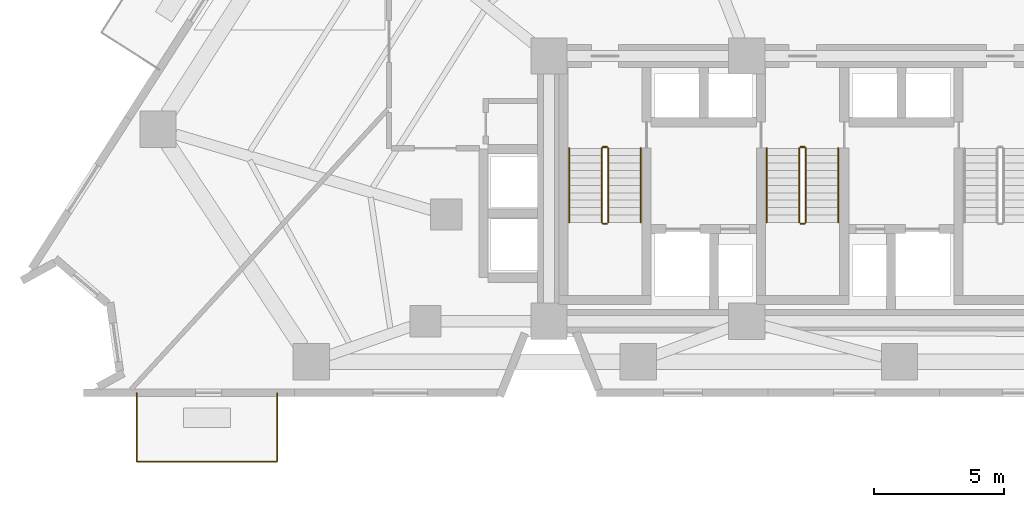
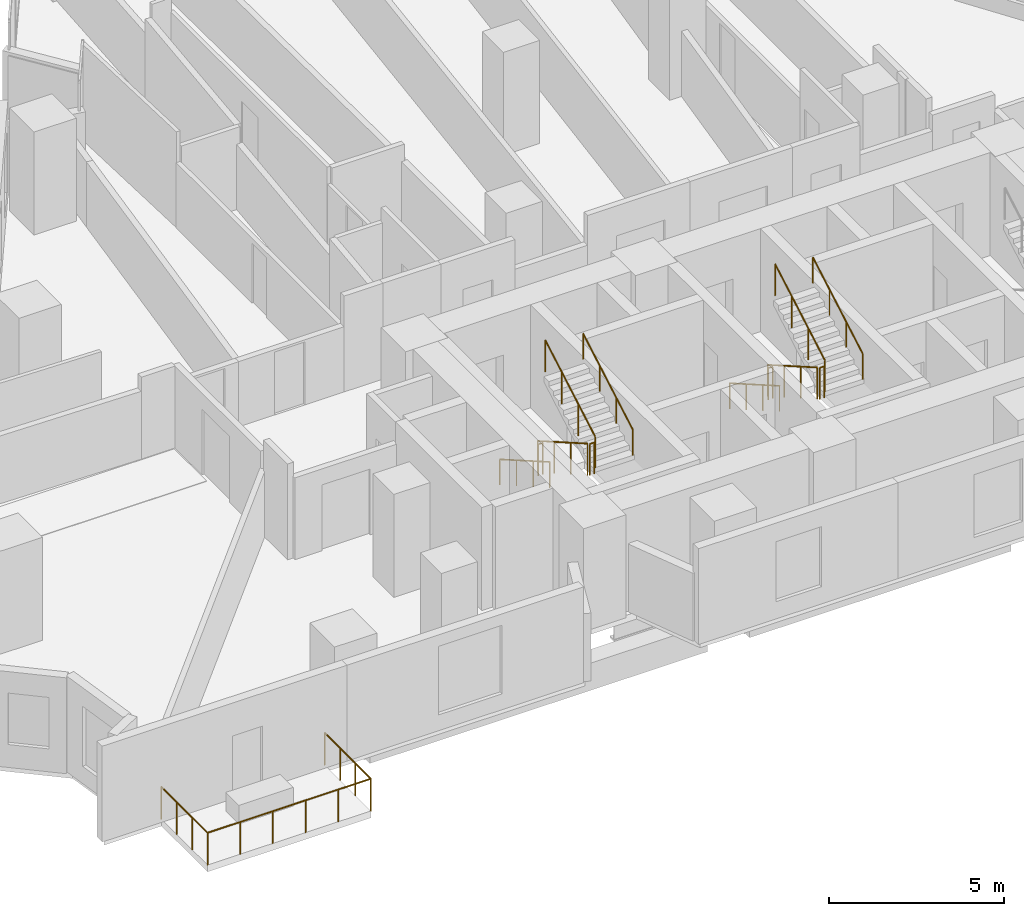
# One storey, part 11 of 14: 13 railings.
"""IFC4 building model written with IfcOpenShell, lengths in metres."""

from ifc_helpers import new_model, si_unit, direction, frame, origin, origin_2d, place, context, subcontext, project, spatial, circle, extrude, material, type_object, element, save


model = new_model("IFC4")

# Units and contexts
model_context = context("Model", 3, precision=1e-05, world=origin(), true_north=direction((0.0, 1.0)))
body_context = subcontext(model_context, "Body", "Model", "MODEL_VIEW")
ifc_project = project(units=[si_unit("LENGTHUNIT", "METRE"), si_unit("AREAUNIT", "SQUARE_METRE"), si_unit("VOLUMEUNIT", "CUBIC_METRE"), si_unit("PLANEANGLEUNIT", "RADIAN"), si_unit("MASSUNIT", "GRAM", prefix="KILO")], contexts=[model_context])

# Site, building, storey
site_placement = place(None, origin())
site = spatial("IfcSite", under=ifc_project, at=site_placement, CompositionType="ELEMENT")
building_placement = place(site_placement, origin())
building = spatial("IfcBuilding", under=site, at=building_placement, Name="Almagre Mirador Tower", CompositionType="ELEMENT")
storey_placement = place(building_placement, frame((0.0, 0.0, 46.199951171875)))
storey = spatial("IfcBuildingStorey", under=building, at=storey_placement, Name="L10", CompositionType="ELEMENT", Elevation=46.199951171875)

# Railings
ifc_material_1 = material(Name="Black anodized aluminium", Category="aluminium")
railing_type_1 = type_object("IfcRailingType", Name="RLG-BAL-1150", PredefinedType="BALUSTRADE", material=ifc_material_1)
railing_1_placement = place(storey_placement, frame((11.699951171875, 1.800048828125, 0.0)))
element("IfcRailing", 1, at=railing_1_placement, inside=storey, type_object=railing_type_1, Name="L10 south balcony balustrade 1", PredefinedType="BALUSTRADE", context=body_context, shape_type="SweptSolid", body=[
    extrude(circle(Radius=0.02392578125, at=origin_2d()), frame((0.0, 0.0, 1.1259765625), z_axis=(0.0, -1.0, 0.0), x_axis=(1.0, 0.0, 0.0)), (0.0, 0.0, 1.0), 2.650146484375),
    extrude(circle(Radius=0.02392578125, at=origin_2d()), frame((0.0, -2.650146484375, 1.1259765625), z_axis=(1.0, 0.0, 0.0), x_axis=(0.0, 1.0, 0.0)), (0.0, 0.0, 1.0), 5.400146484375),
    extrude(circle(Radius=0.02392578125, at=origin_2d()), frame((5.400146484375, -2.650146484375, 1.1259765625), z_axis=(0.0, 1.0, 0.0), x_axis=(-1.0, 0.0, 0.0)), (0.0, 0.0, 1.0), 2.650146484375),
    extrude(circle(Radius=0.02099609375, at=origin_2d()), origin(), (0.0, 0.0, 1.0), 1.101806640625),
    extrude(circle(Radius=0.02099609375, at=origin_2d()), frame((0.0, -0.88330078125, 0.0)), (0.0, 0.0, 1.0), 1.101806640625),
    extrude(circle(Radius=0.02099609375, at=origin_2d()), frame((0.0, -1.766845703125, 0.0)), (0.0, 0.0, 1.0), 1.101806640625),
    extrude(circle(Radius=0.02099609375, at=origin_2d()), frame((0.0, -2.650146484375, 0.0)), (0.0, 0.0, 1.0), 1.101806640625),
    extrude(circle(Radius=0.02099609375, at=origin_2d()), frame((1.080078125, -2.650146484375, 0.0)), (0.0, 0.0, 1.0), 1.101806640625),
    extrude(circle(Radius=0.02099609375, at=origin_2d()), frame((2.16015625, -2.650146484375, 0.0)), (0.0, 0.0, 1.0), 1.101806640625),
    extrude(circle(Radius=0.02099609375, at=origin_2d()), frame((3.239990234375, -2.650146484375, 0.0)), (0.0, 0.0, 1.0), 1.101806640625),
    extrude(circle(Radius=0.02099609375, at=origin_2d()), frame((4.320068359375, -2.650146484375, 0.0)), (0.0, 0.0, 1.0), 1.101806640625),
    extrude(circle(Radius=0.02099609375, at=origin_2d()), frame((5.400146484375, -2.650146484375, 0.0)), (0.0, 0.0, 1.0), 1.101806640625),
    extrude(circle(Radius=0.02099609375, at=origin_2d()), frame((5.400146484375, -1.766845703125, 0.0)), (0.0, 0.0, 1.0), 1.101806640625),
    extrude(circle(Radius=0.02099609375, at=origin_2d()), frame((5.400146484375, -0.88330078125, 0.0)), (0.0, 0.0, 1.0), 1.101806640625),
    extrude(circle(Radius=0.02099609375, at=origin_2d()), frame((5.400146484375, 0.0, 0.0)), (0.0, 0.0, 1.0), 1.101806640625),
])
ifc_material_2 = material(Name="Painted galvanized steel", Category="steel")
railing_type_2 = type_object("IfcRailingType", Name="RLG-GRD-1100", PredefinedType="GUARDRAIL", material=ifc_material_2)
railing_2_placement = place(storey_placement, frame((29.574951171875, 11.199951171875, 0.16357421875)))
element("IfcRailing", 2, at=railing_2_placement, inside=storey, type_object=railing_type_2, Name="L10 ST-1 stair guard 1", PredefinedType="GUARDRAIL", context=body_context, shape_type="SweptSolid", body=[
    extrude(circle(Radius=0.02392578125, at=origin_2d()), frame((0.0, 0.0, 1.09619140625), z_axis=(0.0, -0.867194282975, 0.497969954491), x_axis=(1.0, 0.0, 0.0)), (0.0, 0.0, 1.0), 3.286376953125),
    extrude(circle(Radius=0.02099609375, at=origin_2d()), origin(), (0.0, 0.0, 1.0), 1.072021484375),
    extrude(circle(Radius=0.02099609375, at=origin_2d()), frame((0.0, -0.949951171875, 0.54541015625)), (0.0, 0.0, 1.0), 1.072021484375),
    extrude(circle(Radius=0.02099609375, at=origin_2d()), frame((0.0, -1.89990234375, 1.091064453125)), (0.0, 0.0, 1.0), 1.072021484375),
    extrude(circle(Radius=0.02099609375, at=origin_2d()), frame((0.0, -2.849853515625, 1.636474609375)), (0.0, 0.0, 1.0), 1.072021484375),
])
railing_3_placement = place(storey_placement, frame((29.625, 8.300048828125, 1.800048828125)))
element("IfcRailing", 3, at=railing_3_placement, inside=storey, type_object=railing_type_2, Name="L10 ST-1 stair guard 2", PredefinedType="GUARDRAIL", context=body_context, shape_type="SweptSolid", body=[
    extrude(circle(Radius=0.02392578125, at=origin_2d()), frame((0.0, 0.0, 1.09619140625), z_axis=(1.0, 0.0, 0.0), x_axis=(0.0, 1.0, 0.0)), (0.0, 0.0, 1.0), 0.14990234375),
    extrude(circle(Radius=0.02099609375, at=origin_2d()), origin(), (0.0, 0.0, 1.0), 1.072021484375),
    extrude(circle(Radius=0.02099609375, at=origin_2d()), frame((0.14990234375, 0.0, 0.0)), (0.0, 0.0, 1.0), 1.072021484375),
])
railing_4_placement = place(storey_placement, frame((29.824951171875, 8.35009765625, 1.963623046875)))
element("IfcRailing", 4, at=railing_4_placement, inside=storey, type_object=railing_type_2, Name="L10 ST-1 stair guard 3", PredefinedType="GUARDRAIL", context=body_context, shape_type="SweptSolid", body=[
    extrude(circle(Radius=0.02392578125, at=origin_2d()), frame((0.0, 0.0, 1.09619140625), z_axis=(0.0, 0.867194282975, 0.497969954491), x_axis=(-1.0, 0.0, 0.0)), (0.0, 0.0, 1.0), 3.286376953125),
    extrude(circle(Radius=0.02099609375, at=origin_2d()), origin(), (0.0, 0.0, 1.0), 1.072021484375),
    extrude(circle(Radius=0.02099609375, at=origin_2d()), frame((0.0, 0.949951171875, 0.54541015625)), (0.0, 0.0, 1.0), 1.072021484375),
    extrude(circle(Radius=0.02099609375, at=origin_2d()), frame((0.0, 1.89990234375, 1.091064453125)), (0.0, 0.0, 1.0), 1.072021484375),
    extrude(circle(Radius=0.02099609375, at=origin_2d()), frame((0.0, 2.849853515625, 1.636474609375)), (0.0, 0.0, 1.0), 1.072021484375),
])
railing_5_placement = place(storey_placement, frame((29.625, 11.25, 0.0)))
element("IfcRailing", 5, at=railing_5_placement, inside=storey, type_object=railing_type_2, Name="L10 ST-1 stair guard 4", PredefinedType="GUARDRAIL", context=body_context, shape_type="SweptSolid", body=[
    extrude(circle(Radius=0.02392578125, at=origin_2d()), frame((0.0, 0.0, 1.09619140625), z_axis=(1.0, 0.0, 0.0), x_axis=(0.0, 1.0, 0.0)), (0.0, 0.0, 1.0), 0.14990234375),
    extrude(circle(Radius=0.02099609375, at=origin_2d()), origin(), (0.0, 0.0, 1.0), 1.072021484375),
    extrude(circle(Radius=0.02099609375, at=origin_2d()), frame((0.14990234375, 0.0, 0.0)), (0.0, 0.0, 1.0), 1.072021484375),
])
railing_6_placement = place(storey_placement, frame((37.175048828125, 11.199951171875, 0.16357421875)))
element("IfcRailing", 6, at=railing_6_placement, inside=storey, type_object=railing_type_2, Name="L10 ST-2 stair guard 1", PredefinedType="GUARDRAIL", context=body_context, shape_type="SweptSolid", body=[
    extrude(circle(Radius=0.02392578125, at=origin_2d()), frame((0.0, 0.0, 1.09619140625), z_axis=(0.0, -0.867194282975, 0.497969954491), x_axis=(1.0, 0.0, 0.0)), (0.0, 0.0, 1.0), 3.286376953125),
    extrude(circle(Radius=0.02099609375, at=origin_2d()), origin(), (0.0, 0.0, 1.0), 1.072021484375),
    extrude(circle(Radius=0.02099609375, at=origin_2d()), frame((0.0, -0.949951171875, 0.54541015625)), (0.0, 0.0, 1.0), 1.072021484375),
    extrude(circle(Radius=0.02099609375, at=origin_2d()), frame((0.0, -1.89990234375, 1.091064453125)), (0.0, 0.0, 1.0), 1.072021484375),
    extrude(circle(Radius=0.02099609375, at=origin_2d()), frame((0.0, -2.849853515625, 1.636474609375)), (0.0, 0.0, 1.0), 1.072021484375),
])
railing_7_placement = place(storey_placement, frame((37.22509765625, 8.300048828125, 1.800048828125)))
element("IfcRailing", 7, at=railing_7_placement, inside=storey, type_object=railing_type_2, Name="L10 ST-2 stair guard 2", PredefinedType="GUARDRAIL", context=body_context, shape_type="SweptSolid", body=[
    extrude(circle(Radius=0.02392578125, at=origin_2d()), frame((0.0, 0.0, 1.09619140625), z_axis=(1.0, 0.0, 0.0), x_axis=(0.0, 1.0, 0.0)), (0.0, 0.0, 1.0), 0.14990234375),
    extrude(circle(Radius=0.02099609375, at=origin_2d()), origin(), (0.0, 0.0, 1.0), 1.072021484375),
    extrude(circle(Radius=0.02099609375, at=origin_2d()), frame((0.14990234375, 0.0, 0.0)), (0.0, 0.0, 1.0), 1.072021484375),
])
railing_8_placement = place(storey_placement, frame((37.425048828125, 8.35009765625, 1.963623046875)))
element("IfcRailing", 8, at=railing_8_placement, inside=storey, type_object=railing_type_2, Name="L10 ST-2 stair guard 3", PredefinedType="GUARDRAIL", context=body_context, shape_type="SweptSolid", body=[
    extrude(circle(Radius=0.02392578125, at=origin_2d()), frame((0.0, 0.0, 1.09619140625), z_axis=(0.0, 0.867194282975, 0.497969954491), x_axis=(-1.0, 0.0, 0.0)), (0.0, 0.0, 1.0), 3.286376953125),
    extrude(circle(Radius=0.02099609375, at=origin_2d()), origin(), (0.0, 0.0, 1.0), 1.072021484375),
    extrude(circle(Radius=0.02099609375, at=origin_2d()), frame((0.0, 0.949951171875, 0.54541015625)), (0.0, 0.0, 1.0), 1.072021484375),
    extrude(circle(Radius=0.02099609375, at=origin_2d()), frame((0.0, 1.89990234375, 1.091064453125)), (0.0, 0.0, 1.0), 1.072021484375),
    extrude(circle(Radius=0.02099609375, at=origin_2d()), frame((0.0, 2.849853515625, 1.636474609375)), (0.0, 0.0, 1.0), 1.072021484375),
])
railing_9_placement = place(storey_placement, frame((37.22509765625, 11.25, 0.0)))
element("IfcRailing", 9, at=railing_9_placement, inside=storey, type_object=railing_type_2, Name="L10 ST-2 stair guard 4", PredefinedType="GUARDRAIL", context=body_context, shape_type="SweptSolid", body=[
    extrude(circle(Radius=0.02392578125, at=origin_2d()), frame((0.0, 0.0, 1.09619140625), z_axis=(1.0, 0.0, 0.0), x_axis=(0.0, 1.0, 0.0)), (0.0, 0.0, 1.0), 0.14990234375),
    extrude(circle(Radius=0.02099609375, at=origin_2d()), origin(), (0.0, 0.0, 1.0), 1.072021484375),
    extrude(circle(Radius=0.02099609375, at=origin_2d()), frame((0.14990234375, 0.0, 0.0)), (0.0, 0.0, 1.0), 1.072021484375),
])
ifc_material_3 = material(Name="Brushed stainless steel", Category="steel")
railing_type_3 = type_object("IfcRailingType", Name="RLG-HND-915", PredefinedType="HANDRAIL", material=ifc_material_3)
railing_10_placement = place(storey_placement, frame((28.324951171875, 11.199951171875, 0.16357421875)))
element("IfcRailing", 10, at=railing_10_placement, inside=storey, type_object=railing_type_3, Name="L10 ST-1 stair handrail 1", PredefinedType="HANDRAIL", context=body_context, shape_type="SweptSolid", body=[
    extrude(circle(Radius=0.02392578125, at=origin_2d()), frame((0.0, 0.0, 0.89111328125), z_axis=(0.0, -0.867194282975, 0.497969954491), x_axis=(1.0, 0.0, 0.0)), (0.0, 0.0, 1.0), 3.286376953125),
    extrude(circle(Radius=0.02099609375, at=origin_2d()), origin(), (0.0, 0.0, 1.0), 0.866943359375),
    extrude(circle(Radius=0.02099609375, at=origin_2d()), frame((0.0, -0.949951171875, 0.54541015625)), (0.0, 0.0, 1.0), 0.866943359375),
    extrude(circle(Radius=0.02099609375, at=origin_2d()), frame((0.0, -1.89990234375, 1.091064453125)), (0.0, 0.0, 1.0), 0.866943359375),
    extrude(circle(Radius=0.02099609375, at=origin_2d()), frame((0.0, -2.849853515625, 1.636474609375)), (0.0, 0.0, 1.0), 0.866943359375),
])
railing_11_placement = place(storey_placement, frame((31.074951171875, 8.35009765625, 1.963623046875)))
element("IfcRailing", 11, at=railing_11_placement, inside=storey, type_object=railing_type_3, Name="L10 ST-1 stair handrail 2", PredefinedType="HANDRAIL", context=body_context, shape_type="SweptSolid", body=[
    extrude(circle(Radius=0.02392578125, at=origin_2d()), frame((0.0, 0.0, 0.89111328125), z_axis=(0.0, 0.867194282975, 0.497969954491), x_axis=(-1.0, 0.0, 0.0)), (0.0, 0.0, 1.0), 3.286376953125),
    extrude(circle(Radius=0.02099609375, at=origin_2d()), origin(), (0.0, 0.0, 1.0), 0.866943359375),
    extrude(circle(Radius=0.02099609375, at=origin_2d()), frame((0.0, 0.949951171875, 0.54541015625)), (0.0, 0.0, 1.0), 0.866943359375),
    extrude(circle(Radius=0.02099609375, at=origin_2d()), frame((0.0, 1.89990234375, 1.091064453125)), (0.0, 0.0, 1.0), 0.866943359375),
    extrude(circle(Radius=0.02099609375, at=origin_2d()), frame((0.0, 2.849853515625, 1.636474609375)), (0.0, 0.0, 1.0), 0.866943359375),
])
railing_12_placement = place(storey_placement, frame((35.925048828125, 11.199951171875, 0.16357421875)))
element("IfcRailing", 12, at=railing_12_placement, inside=storey, type_object=railing_type_3, Name="L10 ST-2 stair handrail 1", PredefinedType="HANDRAIL", context=body_context, shape_type="SweptSolid", body=[
    extrude(circle(Radius=0.02392578125, at=origin_2d()), frame((0.0, 0.0, 0.89111328125), z_axis=(0.0, -0.867194282975, 0.497969954491), x_axis=(1.0, 0.0, 0.0)), (0.0, 0.0, 1.0), 3.286376953125),
    extrude(circle(Radius=0.02099609375, at=origin_2d()), origin(), (0.0, 0.0, 1.0), 0.866943359375),
    extrude(circle(Radius=0.02099609375, at=origin_2d()), frame((0.0, -0.949951171875, 0.54541015625)), (0.0, 0.0, 1.0), 0.866943359375),
    extrude(circle(Radius=0.02099609375, at=origin_2d()), frame((0.0, -1.89990234375, 1.091064453125)), (0.0, 0.0, 1.0), 0.866943359375),
    extrude(circle(Radius=0.02099609375, at=origin_2d()), frame((0.0, -2.849853515625, 1.636474609375)), (0.0, 0.0, 1.0), 0.866943359375),
])
railing_13_placement = place(storey_placement, frame((38.675048828125, 8.35009765625, 1.963623046875)))
element("IfcRailing", 13, at=railing_13_placement, inside=storey, type_object=railing_type_3, Name="L10 ST-2 stair handrail 2", PredefinedType="HANDRAIL", context=body_context, shape_type="SweptSolid", body=[
    extrude(circle(Radius=0.02392578125, at=origin_2d()), frame((0.0, 0.0, 0.89111328125), z_axis=(0.0, 0.867194282975, 0.497969954491), x_axis=(-1.0, 0.0, 0.0)), (0.0, 0.0, 1.0), 3.286376953125),
    extrude(circle(Radius=0.02099609375, at=origin_2d()), origin(), (0.0, 0.0, 1.0), 0.866943359375),
    extrude(circle(Radius=0.02099609375, at=origin_2d()), frame((0.0, 0.949951171875, 0.54541015625)), (0.0, 0.0, 1.0), 0.866943359375),
    extrude(circle(Radius=0.02099609375, at=origin_2d()), frame((0.0, 1.89990234375, 1.091064453125)), (0.0, 0.0, 1.0), 0.866943359375),
    extrude(circle(Radius=0.02099609375, at=origin_2d()), frame((0.0, 2.849853515625, 1.636474609375)), (0.0, 0.0, 1.0), 0.866943359375),
])

save(model, "model.ifc")
